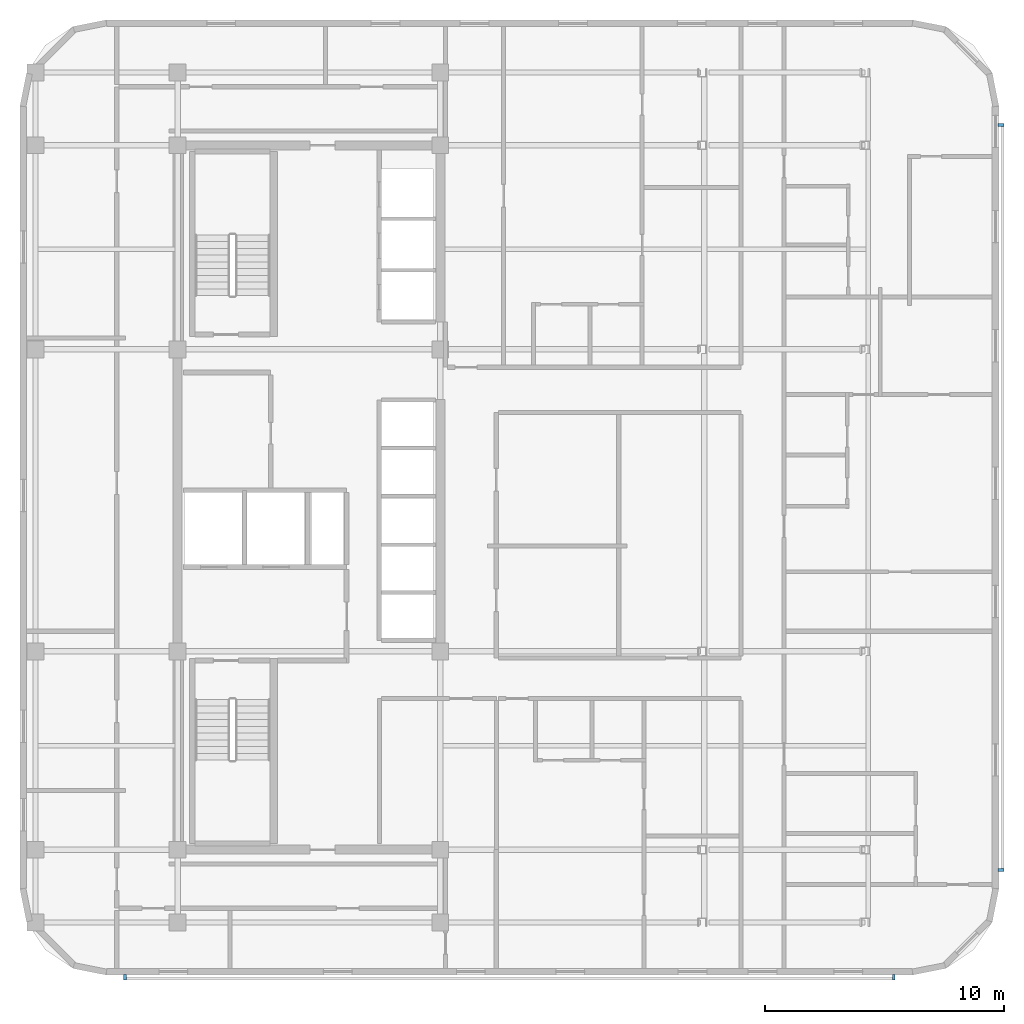
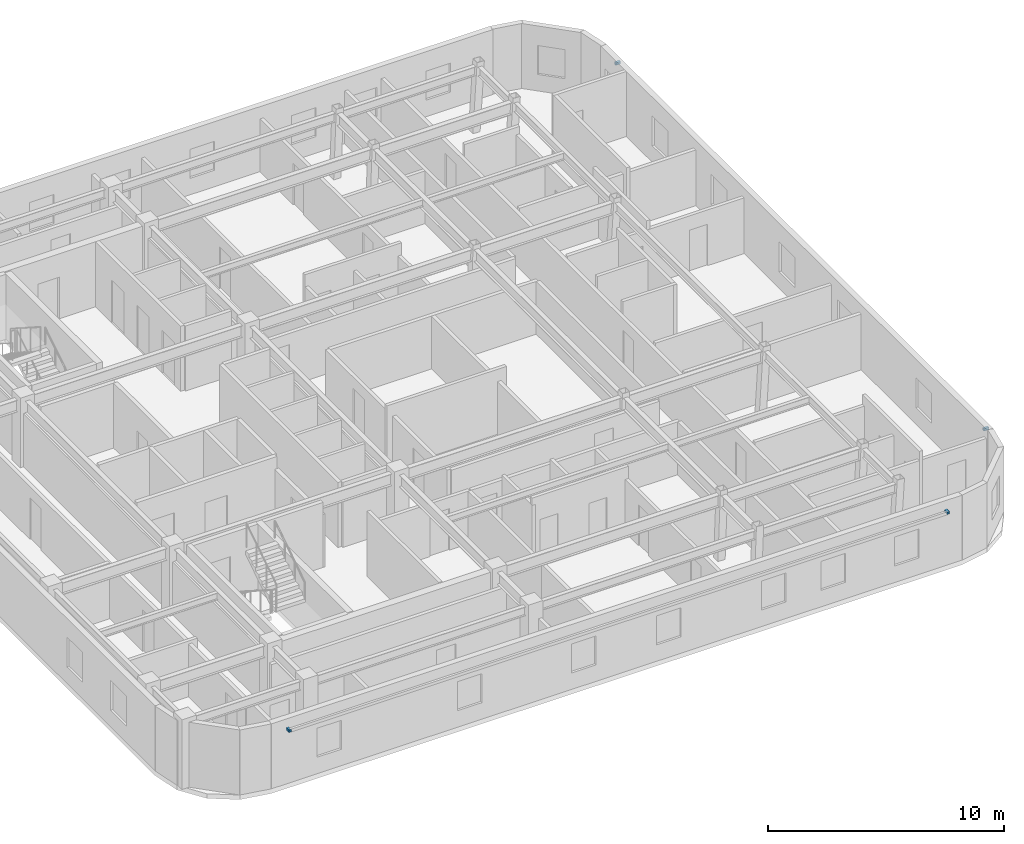
# One storey, part 7 of 10: 4 discrete accessories.
"""IFC4 building model written with IfcOpenShell, lengths in metres."""

from ifc_helpers import new_model, si_unit, direction, frame, origin, origin_2d, place, context, subcontext, project, spatial, rectangle, extrude, material, type_object, element, save


model = new_model("IFC4")

# Units and contexts
model_context = context("Model", 3, precision=1e-05, world=origin(), true_north=direction((0.0, 1.0)))
body_context = subcontext(model_context, "Body", "Model", "MODEL_VIEW")
ifc_project = project(units=[si_unit("LENGTHUNIT", "METRE"), si_unit("AREAUNIT", "SQUARE_METRE"), si_unit("VOLUMEUNIT", "CUBIC_METRE"), si_unit("PLANEANGLEUNIT", "RADIAN"), si_unit("MASSUNIT", "GRAM", prefix="KILO")], contexts=[model_context])

# Site, building, storey
site_placement = place(None, origin())
site = spatial("IfcSite", under=ifc_project, at=site_placement, CompositionType="ELEMENT")
building_placement = place(site_placement, origin())
building = spatial("IfcBuilding", under=site, at=building_placement, Name="Ochreholt Gables", CompositionType="ELEMENT")
storey_placement = place(building_placement, frame((0.0, 0.0, 177.60009765625)))
storey = spatial("IfcBuildingStorey", under=building, at=storey_placement, Name="L46", CompositionType="ELEMENT", Elevation=177.60009765625)

# Discrete accessories
ifc_material = material(Name="Extruded Aluminium Standoff Bracket", Category="aluminium")
discrete_accessory_type = type_object("IfcDiscreteAccessoryType", Name="ACC-BRACKET-AL", PredefinedType="BRACKET", material=ifc_material)
for number, where, z_axis, x_axis, name in (
    (1, (22.0, 3.909912109375, 2.77978515625), (0.0, 0.0, 1.0), (1.0, 0.0, 0.0), "L46 Baguette Standoff Bracket S1-1"),
    (2, (54.199951171875, 3.909912109375, 2.77978515625), (0.0, 0.0, 1.0), (1.0, 0.0, 0.0), "L46 Baguette Standoff Bracket S1-2"),
    (3, (58.68994140625, 8.39990234375, 2.77978515625), (0.0, 0.0, 1.0), (0.0, 1.0, 0.0), "L46 Baguette Standoff Bracket E1-1"),
    (4, (58.68994140625, 39.60009765625, 2.77978515625), (0.0, 0.0, 1.0), (0.0, 1.0, 0.0), "L46 Baguette Standoff Bracket E1-2"),
):
    element("IfcDiscreteAccessory", number, at=place(storey_placement, frame(where, z_axis=z_axis, x_axis=x_axis)), inside=storey, type_object=discrete_accessory_type, Name=name, PredefinedType="BRACKET", context=body_context, shape_type="SweptSolid", body=[
        extrude(rectangle(XDim=0.1201171875, YDim=0.239990234375, at=origin_2d()), origin(), (0.0, 0.0, 1.0), 0.1201171875),
    ])

save(model, "model.ifc")
